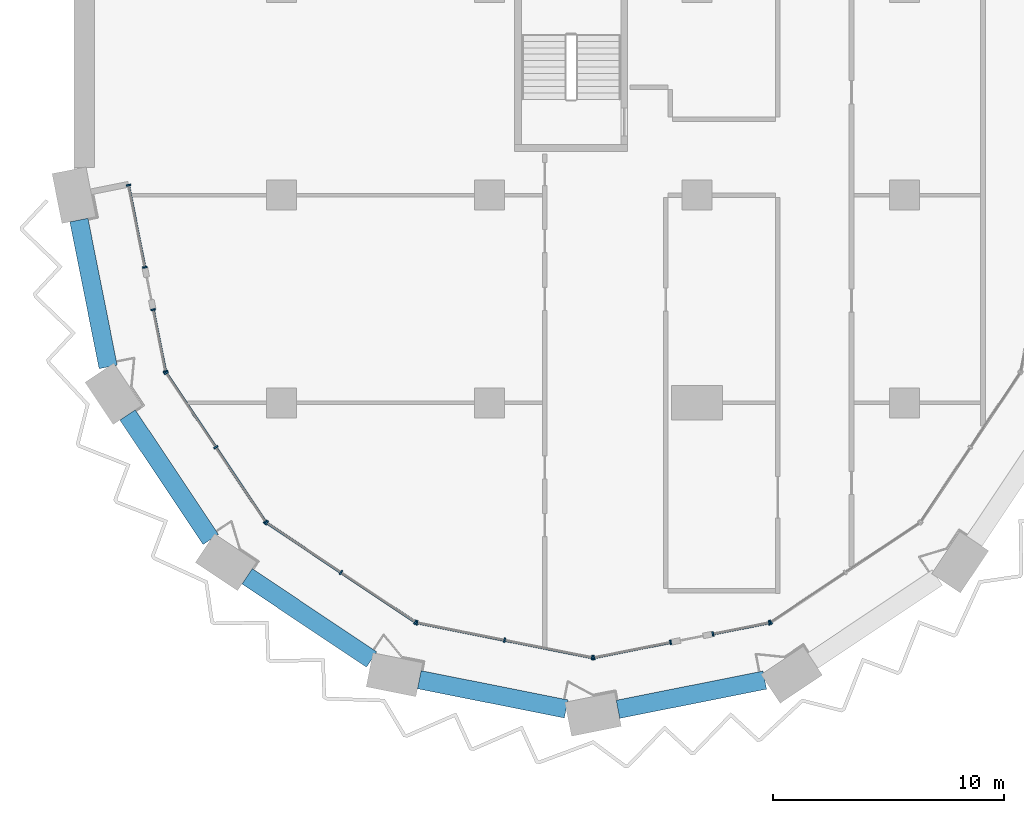
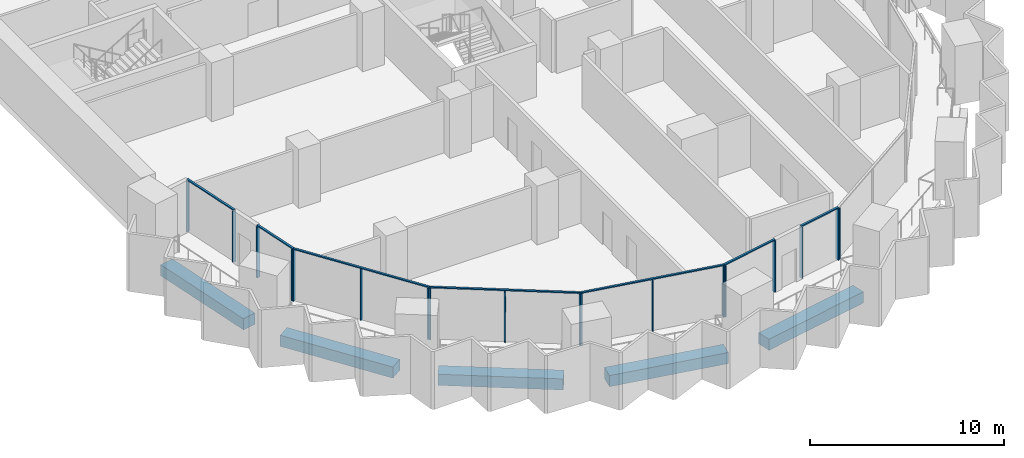
# One storey, part 2 of 23: 25 members, 5 beams, 8 elements without a shape of their own.
"""IFC4 building model written with IfcOpenShell, lengths in metres."""

from ifc_helpers import new_model, si_unit, direction, frame, origin, origin_2d, place, context, subcontext, project, spatial, rectangle, extrude, material, material_profile, profile_set, type_object, element, aggregate, save


model = new_model("IFC4")

# Units and contexts
model_context = context("Model", 3, precision=1e-05, world=origin(), true_north=direction((0.0, 1.0)))
body_context = subcontext(model_context, "Body", "Model", "MODEL_VIEW")
ifc_project = project(units=[si_unit("LENGTHUNIT", "METRE"), si_unit("AREAUNIT", "SQUARE_METRE"), si_unit("VOLUMEUNIT", "CUBIC_METRE"), si_unit("PLANEANGLEUNIT", "RADIAN"), si_unit("MASSUNIT", "GRAM", prefix="KILO")], contexts=[model_context])

# Site, building, storey
site_placement = place(None, origin())
site = spatial("IfcSite", under=ifc_project, at=site_placement, CompositionType="ELEMENT")
building_placement = place(site_placement, origin())
building = spatial("IfcBuilding", under=site, at=building_placement, Name="Hunhe Ridgeline Campus", CompositionType="ELEMENT")
storey_placement = place(building_placement, frame((0.0, 0.0, 121.800048828125)))
storey = spatial("IfcBuildingStorey", under=building, at=storey_placement, Name="L30", CompositionType="ELEMENT", Elevation=121.800048828125)

# Curtain wall, members
ifc_material_1 = material(Name="Aluminium 6063", Category="aluminium")
curtain_wall_type = type_object("IfcCurtainWallType", Name="Curtain wall CW-5", PredefinedType="NOTDEFINED", material=ifc_material_1)
curtain_wall_1_placement = place(storey_placement, origin())
curtain_wall_1 = element("IfcCurtainWall", 1, at=curtain_wall_1_placement, inside=storey, type_object=curtain_wall_type, Name="Curtain wall 01", PredefinedType="NOTDEFINED")
ifc_material_profile_1 = material_profile(ifc_material_1, rectangle(XDim=0.199951171875, YDim=0.070068359375, at=origin_2d()))
ifc_profile_set_1 = profile_set([ifc_material_profile_1], Name="Aluminium 6063")
member_type_1 = type_object("IfcMemberType", Name="CW-5 aluminium mullion", PredefinedType="MULLION", material=ifc_profile_set_1)
member_1_placement = place(storey_placement, frame((2.361572265625, 27.434326171875, 0.0), z_axis=(0.0, 0.0, 1.0), x_axis=(0.980784284924, 0.195095326561, 0.0)))
member_1 = element("IfcMember", 2, at=member_1_placement, type_object=member_type_1, Name="CW-5 mullion 1", PredefinedType="MULLION", context=body_context, shape_type="SweptSolid", body=[
    extrude(rectangle(XDim=0.199951171875, YDim=0.070068359375, at=origin_2d()), origin(), (0.0, 0.0, 1.0), 3.22998046875),
])
member_2_placement = place(storey_placement, frame((3.070068359375, 23.873291015625, 0.0), z_axis=(0.0, 0.0, 1.0), x_axis=(0.980784284924, 0.195095326561, 0.0)))
member_2 = element("IfcMember", 3, at=member_2_placement, type_object=member_type_1, Name="CW-5 mullion 2", PredefinedType="MULLION", context=body_context, shape_type="SweptSolid", body=[
    extrude(rectangle(XDim=0.199951171875, YDim=0.070068359375, at=origin_2d()), origin(), (0.0, 0.0, 1.0), 3.22998046875),
])

curtain_wall_2_placement = place(storey_placement, origin())
curtain_wall_2 = element("IfcCurtainWall", 4, at=curtain_wall_2_placement, inside=storey, type_object=curtain_wall_type, Name="Curtain wall 02", PredefinedType="NOTDEFINED")
member_3_placement = place(storey_placement, frame((3.434814453125, 22.0390625, 0.0), z_axis=(0.0, 0.0, 1.0), x_axis=(0.980784297053, 0.195095265587, 0.0)))
member_3 = element("IfcMember", 5, at=member_3_placement, type_object=member_type_1, Name="CW-5 mullion 1", PredefinedType="MULLION", context=body_context, shape_type="SweptSolid", body=[
    extrude(rectangle(XDim=0.199951171875, YDim=0.070068359375, at=origin_2d()), origin(), (0.0, 0.0, 1.0), 3.22998046875),
])
member_4_placement = place(storey_placement, frame((3.967529296875, 19.36083984375, 0.0), z_axis=(0.0, 0.0, 1.0), x_axis=(0.980784297053, 0.195095265587, 0.0)))
member_4 = element("IfcMember", 6, at=member_4_placement, type_object=member_type_1, Name="CW-5 mullion 2", PredefinedType="MULLION", context=body_context, shape_type="SweptSolid", body=[
    extrude(rectangle(XDim=0.199951171875, YDim=0.070068359375, at=origin_2d()), origin(), (0.0, 0.0, 1.0), 3.22998046875),
])

curtain_wall_3_placement = place(storey_placement, origin())
curtain_wall_3 = element("IfcCurtainWall", 7, at=curtain_wall_3_placement, inside=storey, type_object=curtain_wall_type, Name="Curtain wall 03", PredefinedType="NOTDEFINED")
member_5_placement = place(storey_placement, frame((3.993896484375, 19.29736328125, 0.0), z_axis=(0.0, 0.0, 1.0), x_axis=(0.831469584522, 0.555570274596, 0.0)))
member_5 = element("IfcMember", 8, at=member_5_placement, type_object=member_type_1, Name="CW-5 mullion 1", PredefinedType="MULLION", context=body_context, shape_type="SweptSolid", body=[
    extrude(rectangle(XDim=0.199951171875, YDim=0.070068359375, at=origin_2d()), origin(), (0.0, 0.0, 1.0), 3.22998046875),
])
member_6_placement = place(storey_placement, frame((6.147705078125, 16.07373046875, 0.0), z_axis=(0.0, 0.0, 1.0), x_axis=(0.831469584522, 0.555570274596, 0.0)))
member_6 = element("IfcMember", 9, at=member_6_placement, type_object=member_type_1, Name="CW-5 mullion 2", PredefinedType="MULLION", context=body_context, shape_type="SweptSolid", body=[
    extrude(rectangle(XDim=0.199951171875, YDim=0.070068359375, at=origin_2d()), origin(), (0.0, 0.0, 1.0), 3.22998046875),
])
member_7_placement = place(storey_placement, frame((8.3017578125, 12.850341796875, 0.0), z_axis=(0.0, 0.0, 1.0), x_axis=(0.831469584522, 0.555570274596, 0.0)))
member_7 = element("IfcMember", 10, at=member_7_placement, type_object=member_type_1, Name="CW-5 mullion 3", PredefinedType="MULLION", context=body_context, shape_type="SweptSolid", body=[
    extrude(rectangle(XDim=0.199951171875, YDim=0.070068359375, at=origin_2d()), origin(), (0.0, 0.0, 1.0), 3.22998046875),
])

curtain_wall_4_placement = place(storey_placement, origin())
curtain_wall_4 = element("IfcCurtainWall", 11, at=curtain_wall_4_placement, inside=storey, type_object=curtain_wall_type, Name="Curtain wall 04", PredefinedType="NOTDEFINED")
member_8_placement = place(storey_placement, frame((8.350341796875, 12.8017578125, 0.0), z_axis=(0.0, 0.0, 1.0), x_axis=(0.555570274596, 0.831469584522, 0.0)))
member_8 = element("IfcMember", 12, at=member_8_placement, type_object=member_type_1, Name="CW-5 mullion 1", PredefinedType="MULLION", context=body_context, shape_type="SweptSolid", body=[
    extrude(rectangle(XDim=0.199951171875, YDim=0.070068359375, at=origin_2d()), origin(), (0.0, 0.0, 1.0), 3.22998046875),
])
member_9_placement = place(storey_placement, frame((11.57373046875, 10.647705078125, 0.0), z_axis=(0.0, 0.0, 1.0), x_axis=(0.555570274596, 0.831469584522, 0.0)))
member_9 = element("IfcMember", 13, at=member_9_placement, type_object=member_type_1, Name="CW-5 mullion 2", PredefinedType="MULLION", context=body_context, shape_type="SweptSolid", body=[
    extrude(rectangle(XDim=0.199951171875, YDim=0.070068359375, at=origin_2d()), origin(), (0.0, 0.0, 1.0), 3.22998046875),
])
member_10_placement = place(storey_placement, frame((14.79736328125, 8.493896484375, 0.0), z_axis=(0.0, 0.0, 1.0), x_axis=(0.555570274596, 0.831469584522, 0.0)))
member_10 = element("IfcMember", 14, at=member_10_placement, type_object=member_type_1, Name="CW-5 mullion 3", PredefinedType="MULLION", context=body_context, shape_type="SweptSolid", body=[
    extrude(rectangle(XDim=0.199951171875, YDim=0.070068359375, at=origin_2d()), origin(), (0.0, 0.0, 1.0), 3.22998046875),
])

curtain_wall_5_placement = place(storey_placement, origin())
curtain_wall_5 = element("IfcCurtainWall", 15, at=curtain_wall_5_placement, inside=storey, type_object=curtain_wall_type, Name="Curtain wall 05", PredefinedType="NOTDEFINED")
member_11_placement = place(storey_placement, frame((14.86083984375, 8.467529296875, 0.0), z_axis=(0.0, 0.0, 1.0), x_axis=(0.195090347539, 0.980785275326, 0.0)))
member_11 = element("IfcMember", 16, at=member_11_placement, type_object=member_type_1, Name="CW-5 mullion 1", PredefinedType="MULLION", context=body_context, shape_type="SweptSolid", body=[
    extrude(rectangle(XDim=0.199951171875, YDim=0.070068359375, at=origin_2d()), origin(), (0.0, 0.0, 1.0), 3.22998046875),
])
member_12_placement = place(storey_placement, frame((18.663330078125, 7.711181640625, 0.0), z_axis=(0.0, 0.0, 1.0), x_axis=(0.195090347539, 0.980785275326, 0.0)))
member_12 = element("IfcMember", 17, at=member_12_placement, type_object=member_type_1, Name="CW-5 mullion 2", PredefinedType="MULLION", context=body_context, shape_type="SweptSolid", body=[
    extrude(rectangle(XDim=0.199951171875, YDim=0.070068359375, at=origin_2d()), origin(), (0.0, 0.0, 1.0), 3.22998046875),
])
member_13_placement = place(storey_placement, frame((22.465576171875, 6.954833984375, 0.0), z_axis=(0.0, 0.0, 1.0), x_axis=(0.195090347539, 0.980785275326, 0.0)))
member_13 = element("IfcMember", 18, at=member_13_placement, type_object=member_type_1, Name="CW-5 mullion 3", PredefinedType="MULLION", context=body_context, shape_type="SweptSolid", body=[
    extrude(rectangle(XDim=0.199951171875, YDim=0.070068359375, at=origin_2d()), origin(), (0.0, 0.0, 1.0), 3.22998046875),
])

curtain_wall_6_placement = place(storey_placement, origin())
curtain_wall_6 = element("IfcCurtainWall", 19, at=curtain_wall_6_placement, inside=storey, type_object=curtain_wall_type, Name="Curtain wall 06", PredefinedType="NOTDEFINED")
member_14_placement = place(storey_placement, frame((22.534423828125, 6.954833984375, 0.0), z_axis=(0.0, 0.0, 1.0), x_axis=(-0.19509037034, 0.980785270791, 0.0)))
member_14 = element("IfcMember", 20, at=member_14_placement, type_object=member_type_1, Name="CW-5 mullion 1", PredefinedType="MULLION", context=body_context, shape_type="SweptSolid", body=[
    extrude(rectangle(XDim=0.199951171875, YDim=0.070068359375, at=origin_2d()), origin(), (0.0, 0.0, 1.0), 3.22998046875),
])
member_15_placement = place(storey_placement, frame((25.861083984375, 7.61669921875, 0.0), z_axis=(0.0, 0.0, 1.0), x_axis=(-0.19509037034, 0.980785270791, 0.0)))
member_15 = element("IfcMember", 21, at=member_15_placement, type_object=member_type_1, Name="CW-5 mullion 2", PredefinedType="MULLION", context=body_context, shape_type="SweptSolid", body=[
    extrude(rectangle(XDim=0.199951171875, YDim=0.070068359375, at=origin_2d()), origin(), (0.0, 0.0, 1.0), 3.22998046875),
])

curtain_wall_7_placement = place(storey_placement, origin())
curtain_wall_7 = element("IfcCurtainWall", 22, at=curtain_wall_7_placement, inside=storey, type_object=curtain_wall_type, Name="Curtain wall 07", PredefinedType="NOTDEFINED")
member_16_placement = place(storey_placement, frame((27.695068359375, 7.9814453125, 0.0), z_axis=(0.0, 0.0, 1.0), x_axis=(-0.195090514627, 0.980785242091, 0.0)))
member_16 = element("IfcMember", 23, at=member_16_placement, type_object=member_type_1, Name="CW-5 mullion 1", PredefinedType="MULLION", context=body_context, shape_type="SweptSolid", body=[
    extrude(rectangle(XDim=0.199951171875, YDim=0.070068359375, at=origin_2d()), origin(), (0.0, 0.0, 1.0), 3.22998046875),
])
member_17_placement = place(storey_placement, frame((30.13916015625, 8.467529296875, 0.0), z_axis=(0.0, 0.0, 1.0), x_axis=(-0.195090514627, 0.980785242091, 0.0)))
member_17 = element("IfcMember", 24, at=member_17_placement, type_object=member_type_1, Name="CW-5 mullion 2", PredefinedType="MULLION", context=body_context, shape_type="SweptSolid", body=[
    extrude(rectangle(XDim=0.199951171875, YDim=0.070068359375, at=origin_2d()), origin(), (0.0, 0.0, 1.0), 3.22998046875),
])

# Curtain wall, member
curtain_wall_8_placement = place(storey_placement, origin())
curtain_wall_8 = element("IfcCurtainWall", 25, at=curtain_wall_8_placement, inside=storey, type_object=curtain_wall_type, Name="Curtain wall 08", PredefinedType="NOTDEFINED")
member_18_placement = place(storey_placement, frame((30.20263671875, 8.493896484375, 0.0), z_axis=(0.0, 0.0, 1.0), x_axis=(-0.555570274596, 0.831469584522, 0.0)))
member_18 = element("IfcMember", 26, at=member_18_placement, type_object=member_type_1, Name="CW-5 mullion 1", PredefinedType="MULLION", context=body_context, shape_type="SweptSolid", body=[
    extrude(rectangle(XDim=0.199951171875, YDim=0.070068359375, at=origin_2d()), origin(), (0.0, 0.0, 1.0), 3.22998046875),
])
aggregate(curtain_wall_8, [member_18])

# Member
ifc_material_profile_2 = material_profile(ifc_material_1, rectangle(XDim=0.1201171875, YDim=0.070068359375, at=origin_2d()))
ifc_profile_set_2 = profile_set([ifc_material_profile_2], Name="Aluminium 6063")
member_type_2 = type_object("IfcMemberType", Name="CW-5 aluminium transom", PredefinedType="USERDEFINED", material=ifc_profile_set_2)
member_19_placement = place(storey_placement, frame((2.354736328125, 27.46875, 3.264892578125), z_axis=(0.195126549745, -0.980778073564, 0.0), x_axis=(0.980778073564, 0.195126549745, 0.0)))
member_19 = element("IfcMember", 27, at=member_19_placement, type_object=member_type_2, Name="CW-5 transom 1", ObjectType="TRANSOM", PredefinedType="USERDEFINED", context=body_context, shape_type="SweptSolid", body=[
    extrude(rectangle(XDim=0.1201171875, YDim=0.070068359375, at=origin_2d()), origin(), (0.0, 0.0, 1.0), 3.700927734375),
])

aggregate(curtain_wall_1, [member_19, member_1, member_2])

member_20_placement = place(storey_placement, frame((3.427978515625, 22.073486328125, 3.264892578125), z_axis=(0.195076742145, -0.98078798151, 0.0), x_axis=(0.98078798151, 0.195076742145, 0.0)))
member_20 = element("IfcMember", 28, at=member_20_placement, type_object=member_type_2, Name="CW-5 transom 1", ObjectType="TRANSOM", PredefinedType="USERDEFINED", context=body_context, shape_type="SweptSolid", body=[
    extrude(rectangle(XDim=0.1201171875, YDim=0.070068359375, at=origin_2d()), origin(), (0.0, 0.0, 1.0), 2.80078125),
])

aggregate(curtain_wall_2, [member_20, member_3, member_4])

member_21_placement = place(storey_placement, frame((3.974365234375, 19.326416015625, 3.264892578125), z_axis=(0.5555640203, -0.831473763475, 0.0), x_axis=(0.831473763475, 0.5555640203, 0.0)))
member_21 = element("IfcMember", 29, at=member_21_placement, type_object=member_type_2, Name="CW-5 transom 1", ObjectType="TRANSOM", PredefinedType="USERDEFINED", context=body_context, shape_type="SweptSolid", body=[
    extrude(rectangle(XDim=0.1201171875, YDim=0.070068359375, at=origin_2d()), origin(), (0.0, 0.0, 1.0), 7.823974609375),
])

aggregate(curtain_wall_3, [member_21, member_5, member_6, member_7])

member_22_placement = place(storey_placement, frame((8.321044921875, 12.821044921875, 3.264892578125), z_axis=(0.831473763475, -0.5555640203, 0.0), x_axis=(0.5555640203, 0.831473763475, 0.0)))
member_22 = element("IfcMember", 30, at=member_22_placement, type_object=member_type_2, Name="CW-5 transom 1", ObjectType="TRANSOM", PredefinedType="USERDEFINED", context=body_context, shape_type="SweptSolid", body=[
    extrude(rectangle(XDim=0.1201171875, YDim=0.070068359375, at=origin_2d()), origin(), (0.0, 0.0, 1.0), 7.823974609375),
])

aggregate(curtain_wall_4, [member_22, member_8, member_9, member_10])

member_23_placement = place(storey_placement, frame((14.826416015625, 8.474365234375, 3.264892578125), z_axis=(0.980785367689, -0.195089883198, 0.0), x_axis=(0.195089883198, 0.980785367689, 0.0)))
member_23 = element("IfcMember", 31, at=member_23_placement, type_object=member_type_2, Name="CW-5 transom 1", ObjectType="TRANSOM", PredefinedType="USERDEFINED", context=body_context, shape_type="SweptSolid", body=[
    extrude(rectangle(XDim=0.1201171875, YDim=0.070068359375, at=origin_2d()), origin(), (0.0, 0.0, 1.0), 7.823974609375),
])

aggregate(curtain_wall_5, [member_23, member_11, member_12, member_13])

member_24_placement = place(storey_placement, frame((22.5, 6.947998046875, 3.264892578125), z_axis=(0.980778171596, 0.195126057004, 0.0), x_axis=(-0.195126057004, 0.980778171596, 0.0)))
member_24 = element("IfcMember", 32, at=member_24_placement, type_object=member_type_2, Name="CW-5 transom 1", ObjectType="TRANSOM", PredefinedType="USERDEFINED", context=body_context, shape_type="SweptSolid", body=[
    extrude(rectangle(XDim=0.1201171875, YDim=0.070068359375, at=origin_2d()), origin(), (0.0, 0.0, 1.0), 3.462158203125),
])

aggregate(curtain_wall_6, [member_24, member_14, member_15])

member_25_placement = place(storey_placement, frame((27.660888671875, 7.974609375, 3.264892578125), z_axis=(0.980789038007, 0.195071430315, 0.0), x_axis=(-0.195071430315, 0.980789038007, 0.0)))
member_25 = element("IfcMember", 33, at=member_25_placement, type_object=member_type_2, Name="CW-5 transom 1", ObjectType="TRANSOM", PredefinedType="USERDEFINED", context=body_context, shape_type="SweptSolid", body=[
    extrude(rectangle(XDim=0.1201171875, YDim=0.070068359375, at=origin_2d()), origin(), (0.0, 0.0, 1.0), 2.56201171875),
])

aggregate(curtain_wall_7, [member_25, member_16, member_17])

# Beams
ifc_material_2 = material(Name="Concrete C60", Category="concrete")
ifc_material_profile_3 = material_profile(ifc_material_2, rectangle(XDim=0.800048828125, YDim=0.699951171875, at=origin_2d()))
ifc_profile_set_3 = profile_set([ifc_material_profile_3], Name="Concrete C60")
beam_type = type_object("IfcBeamType", Name="RC spandrel beam 800x700 Concrete C60", PredefinedType="SPANDREL", material=ifc_profile_set_3)
for number, where, z_axis, x_axis, name in (
    (34, (0.214599609375, 25.921142578125, -0.60009765625), (0.195095759636, -0.980784198778, 0.0), (0.980784198778, 0.195095759636, 0.0), "Spandrel beam B1-1 L30"),
    (35, (2.32373046875, 17.47509765625, -0.60009765625), (0.555585540178, -0.831459384183, 0.0), (0.831459384183, 0.555585540178, 0.0), "Spandrel beam B1-2 L30"),
    (36, (7.504638671875, 10.47900390625, -0.60009765625), (0.831476765351, -0.555559527577, 0.0), (0.555559527577, 0.831476765351, 0.0), "Spandrel beam B1-3 L30"),
    (37, (14.968505859375, 5.998046875, -0.60009765625), (0.980784198778, -0.195095759636, 0.0), (0.195095759636, 0.980784198778, 0.0), "Spandrel beam B1-4 L30"),
    (38, (23.578857421875, 4.714599609375, -0.60009765625), (0.980784198778, 0.195095759636, 0.0), (-0.195095759636, 0.980784198778, 0.0), "Spandrel beam B1-5 L30"),
):
    element("IfcBeam", number, at=place(storey_placement, frame(where, z_axis=z_axis, x_axis=x_axis)), inside=storey, type_object=beam_type, Name=name, PredefinedType="SPANDREL", context=body_context, shape_type="SweptSolid", body=[
        extrude(rectangle(XDim=0.800048828125, YDim=0.699951171875, at=origin_2d()), origin(), (0.0, 0.0, 1.0), 6.488525390625),
    ])

save(model, "model.ifc")
